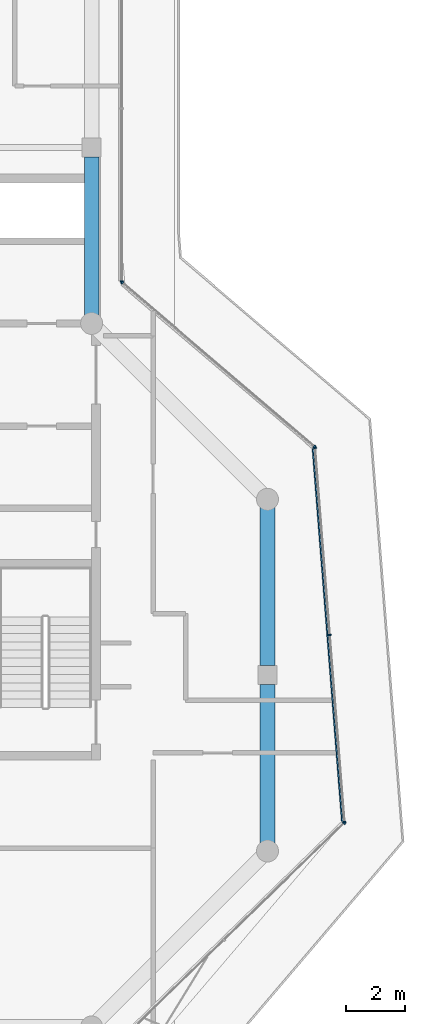
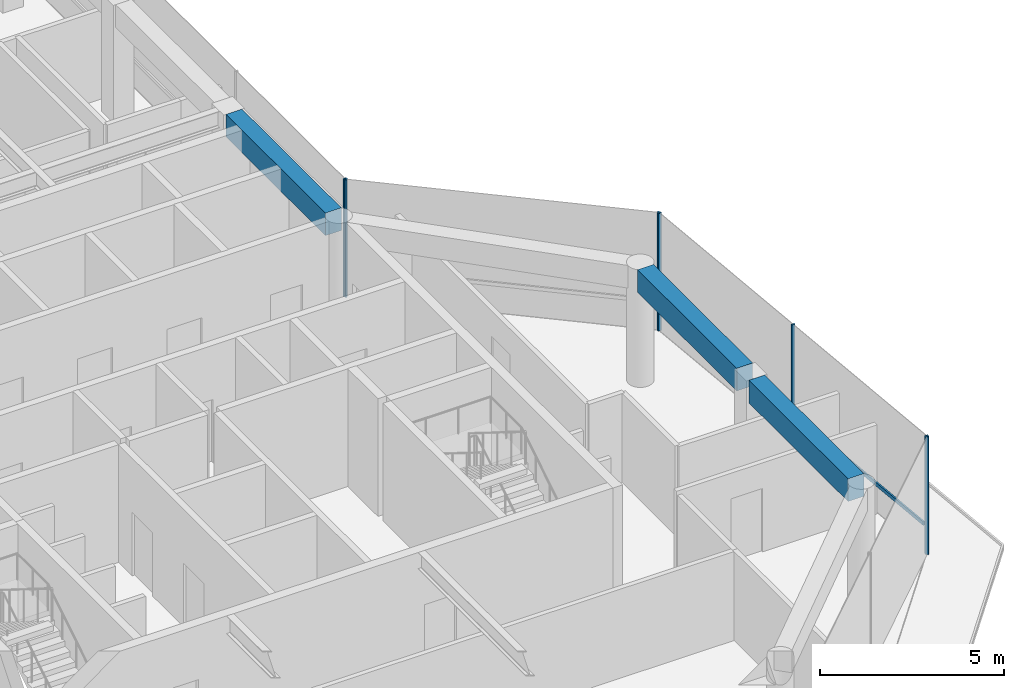
# One storey, part 7 of 20: 8 members, 3 beams, 4 elements without a shape of their own.
"""IFC4 building model written with IfcOpenShell, lengths in metres."""

from ifc_helpers import new_model, si_unit, direction, frame, origin, origin_2d, place, context, subcontext, project, spatial, rectangle, extrude, material, layer, layer_set, material_profile, profile_set, type_object, element, aggregate, save


model = new_model("IFC4")

# Units and contexts
model_context = context("Model", 3, precision=1e-05, world=origin(), true_north=direction((0.0, 1.0)))
body_context = subcontext(model_context, "Body", "Model", "MODEL_VIEW")
ifc_project = project(units=[si_unit("LENGTHUNIT", "METRE"), si_unit("AREAUNIT", "SQUARE_METRE"), si_unit("VOLUMEUNIT", "CUBIC_METRE"), si_unit("PLANEANGLEUNIT", "RADIAN"), si_unit("MASSUNIT", "GRAM", prefix="KILO")], contexts=[model_context])

# Site, building, storey
site_placement = place(None, origin())
site = spatial("IfcSite", under=ifc_project, at=site_placement, CompositionType="ELEMENT")
building_placement = place(site_placement, origin())
building = spatial("IfcBuilding", under=site, at=building_placement, Name="Welwitschia Terrace Campus", CompositionType="ELEMENT")
storey_placement = place(building_placement, frame((0.0, 0.0, 314.60009765625)))
storey = spatial("IfcBuildingStorey", under=building, at=storey_placement, Name="L70", CompositionType="ELEMENT", Elevation=314.60009765625)

# Curtain wall, member
ifc_material_1 = material(Name="Bronze anodised aluminium", Category="aluminium")
ifc_layer = layer(ifc_material_1, 0.10009765625)
ifc_layer_set = layer_set([ifc_layer], Name="Bronze anodised aluminium")
curtain_wall_type = type_object("IfcCurtainWallType", Name="Curtain wall CW5 crown 6000", PredefinedType="NOTDEFINED", material=ifc_layer_set)
curtain_wall_1_placement = place(storey_placement, origin())
curtain_wall_1 = element("IfcCurtainWall", 1, at=curtain_wall_1_placement, inside=storey, type_object=curtain_wall_type, Name="CW L70.2.0", PredefinedType="NOTDEFINED")
ifc_material_2 = material(Name="Bronze anodised aluminium", Category="aluminium")
ifc_material_profile_1 = material_profile(ifc_material_2, rectangle(XDim=0.10009765625, YDim=0.050048828125, at=origin_2d()))
ifc_profile_set_1 = profile_set([ifc_material_profile_1], Name="Bronze anodised aluminium")
member_type_1 = type_object("IfcMemberType", Name="Mullion 50x100", PredefinedType="MULLION", material=ifc_profile_set_1)
member_1_placement = place(storey_placement, frame((32.611328125, 2.9521484375, 0.0), z_axis=(0.0, 0.0, 1.0), x_axis=(-0.697209979532, 0.716866964255, 0.0)))
member_1 = element("IfcMember", 2, at=member_1_placement, type_object=member_type_1, Name="Mullion L70.2.0.2", PredefinedType="MULLION", context=body_context, shape_type="SweptSolid", body=[
    extrude(rectangle(XDim=0.10009765625, YDim=0.050048828125, at=origin_2d()), origin(), (0.0, 0.0, 1.0), 3.89990234375),
])
aggregate(curtain_wall_1, [member_1])

# Curtain wall, members
curtain_wall_2_placement = place(storey_placement, origin())
curtain_wall_2 = element("IfcCurtainWall", 3, at=curtain_wall_2_placement, inside=storey, type_object=curtain_wall_type, Name="CW L70.3.0", PredefinedType="NOTDEFINED")
member_2_placement = place(storey_placement, frame((32.62744140625, 2.994384765625, 0.0), z_axis=(0.0, 0.0, 1.0), x_axis=(-0.996917333733, -0.078459095728, 0.0)))
member_2 = element("IfcMember", 4, at=member_2_placement, type_object=member_type_1, Name="Mullion L70.3.0.0", PredefinedType="MULLION", context=body_context, shape_type="SweptSolid", body=[
    extrude(rectangle(XDim=0.10009765625, YDim=0.050048828125, at=origin_2d()), origin(), (0.0, 0.0, 1.0), 3.89990234375),
])
member_3_placement = place(storey_placement, frame((32.125, 9.37646484375, 0.0), z_axis=(0.0, 0.0, 1.0), x_axis=(-0.996917333733, -0.078459095728, 0.0)))
member_3 = element("IfcMember", 5, at=member_3_placement, type_object=member_type_1, Name="Mullion L70.3.0.1", PredefinedType="MULLION", context=body_context, shape_type="SweptSolid", body=[
    extrude(rectangle(XDim=0.10009765625, YDim=0.050048828125, at=origin_2d()), origin(), (0.0, 0.0, 1.0), 3.89990234375),
])
member_4_placement = place(storey_placement, frame((31.622802734375, 15.75830078125, 0.0), z_axis=(0.0, 0.0, 1.0), x_axis=(-0.996917333733, -0.078459095728, 0.0)))
member_4 = element("IfcMember", 6, at=member_4_placement, type_object=member_type_1, Name="Mullion L70.3.0.2", PredefinedType="MULLION", context=body_context, shape_type="SweptSolid", body=[
    extrude(rectangle(XDim=0.10009765625, YDim=0.050048828125, at=origin_2d()), origin(), (0.0, 0.0, 1.0), 3.89990234375),
])

curtain_wall_3_placement = place(storey_placement, origin())
curtain_wall_3 = element("IfcCurtainWall", 7, at=curtain_wall_3_placement, inside=storey, type_object=curtain_wall_type, Name="CW L70.4.0", PredefinedType="NOTDEFINED")
member_5_placement = place(storey_placement, frame((31.601806640625, 15.79931640625, 0.0), z_axis=(0.0, 0.0, 1.0), x_axis=(-0.64944804833, -0.7604059656, 0.0)))
member_5 = element("IfcMember", 8, at=member_5_placement, type_object=member_type_1, Name="Mullion L70.4.0.0", PredefinedType="MULLION", context=body_context, shape_type="SweptSolid", body=[
    extrude(rectangle(XDim=0.10009765625, YDim=0.050048828125, at=origin_2d()), origin(), (0.0, 0.0, 1.0), 3.89990234375),
])
member_6_placement = place(storey_placement, frame((25.049072265625, 21.39599609375, 0.0), z_axis=(0.0, 0.0, 1.0), x_axis=(-0.64944804833, -0.7604059656, 0.0)))
member_6 = element("IfcMember", 9, at=member_6_placement, type_object=member_type_1, Name="Mullion L70.4.0.1", PredefinedType="MULLION", context=body_context, shape_type="SweptSolid", body=[
    extrude(rectangle(XDim=0.10009765625, YDim=0.050048828125, at=origin_2d()), origin(), (0.0, 0.0, 1.0), 3.89990234375),
])
aggregate(curtain_wall_3, [member_5, member_6])

# Curtain wall, member
curtain_wall_4_placement = place(storey_placement, origin())
curtain_wall_4 = element("IfcCurtainWall", 10, at=curtain_wall_4_placement, inside=storey, type_object=curtain_wall_type, Name="CW L70.5.0", PredefinedType="NOTDEFINED")
member_7_placement = place(storey_placement, frame((25.030029296875, 21.437255859375, 0.0), z_axis=(0.0, 0.0, 1.0), x_axis=(-1.0, 0.0, 0.0)))
member_7 = element("IfcMember", 11, at=member_7_placement, type_object=member_type_1, Name="Mullion L70.5.0.0", PredefinedType="MULLION", context=body_context, shape_type="SweptSolid", body=[
    extrude(rectangle(XDim=0.10009765625, YDim=0.050048828125, at=origin_2d()), origin(), (0.0, 0.0, 1.0), 3.89990234375),
])
aggregate(curtain_wall_4, [member_7])

# Beams
ifc_material_3 = material(Name="Concrete C40/50", Category="concrete")
ifc_material_profile_2 = material_profile(ifc_material_3, rectangle(XDim=0.5, YDim=0.75, at=origin_2d()))
ifc_profile_set_2 = profile_set([ifc_material_profile_2], Name="Concrete C40/50")
beam_type = type_object("IfcBeamType", Name="Ring spandrel 500x750", PredefinedType="SPANDREL", material=ifc_profile_set_2)
for number, where, z_axis, x_axis, name in (
    (12, (30.0, 2.280517578125, 3.52490234375), (0.0, 1.0, 0.0), (-1.0, 0.0, 0.0), "Spandrel SP5"),
    (13, (30.0, 8.325439453125, 3.52490234375), (0.0, 1.0, 0.0), (-1.0, 0.0, 0.0), "Spandrel SP5"),
    (14, (24.0, 20.280517578125, 3.52490234375), (0.0, 1.0, 0.0), (-1.0, 0.0, 0.0), "Spandrel SP5"),
):
    element("IfcBeam", number, at=place(storey_placement, frame(where, z_axis=z_axis, x_axis=x_axis)), inside=storey, type_object=beam_type, Name=name, PredefinedType="SPANDREL", context=body_context, shape_type="SweptSolid", body=[
        extrude(rectangle(XDim=0.5, YDim=0.75, at=origin_2d()), origin(), (0.0, 0.0, 1.0), 5.39404296875),
    ])

# Member
ifc_material_4 = material(Name="Bronze anodised aluminium", Category="aluminium")
ifc_material_profile_3 = material_profile(ifc_material_4, rectangle(XDim=0.050048828125, YDim=0.1201171875, at=origin_2d()))
ifc_profile_set_3 = profile_set([ifc_material_profile_3], Name="Bronze anodised aluminium")
member_type_2 = type_object("IfcMemberType", Name="Transom 50x120", PredefinedType="USERDEFINED", material=ifc_profile_set_3)
member_8_placement = place(storey_placement, frame((32.550537109375, 3.013427734375, 1.0), z_axis=(-0.078448654892, 0.99691815539, 0.0), x_axis=(-0.99691815539, -0.078448654892, 0.0)))
member_8 = element("IfcMember", 15, at=member_8_placement, type_object=member_type_2, Name="Transom L70.3.0", ObjectType="TRANSOM", PredefinedType="USERDEFINED", context=body_context, shape_type="SweptSolid", body=[
    extrude(rectangle(XDim=0.050048828125, YDim=0.1201171875, at=origin_2d()), origin(), (0.0, 0.0, 1.0), 12.75341796875),
])

aggregate(curtain_wall_2, [member_2, member_3, member_4, member_8])

save(model, "model.ifc")
